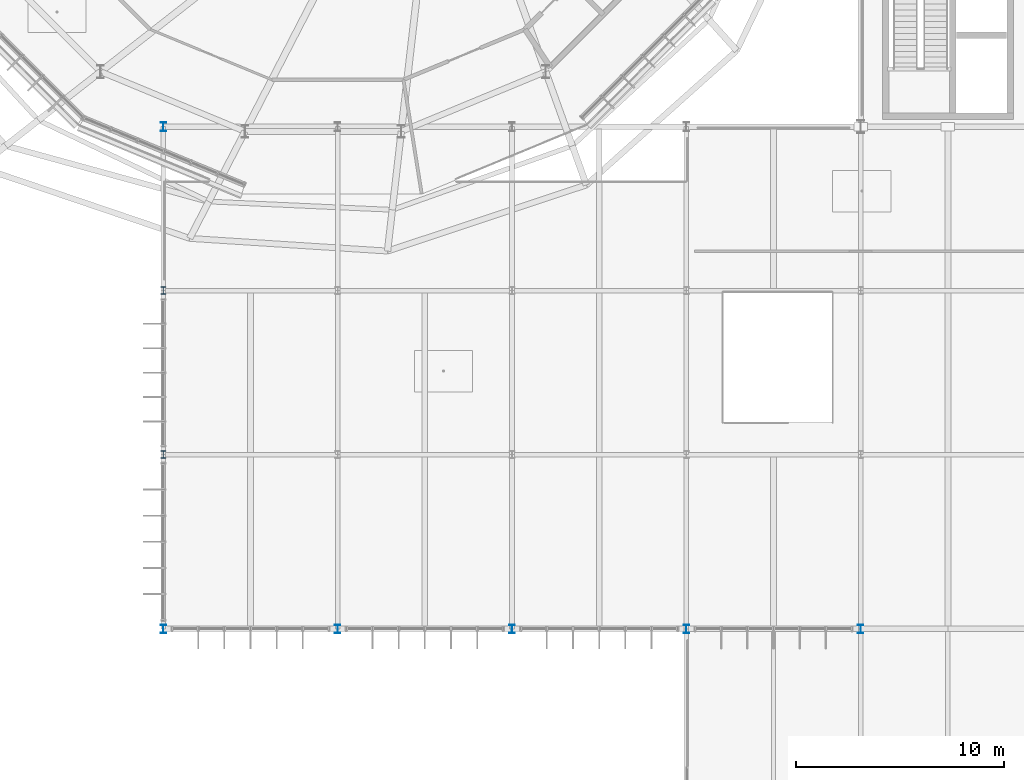
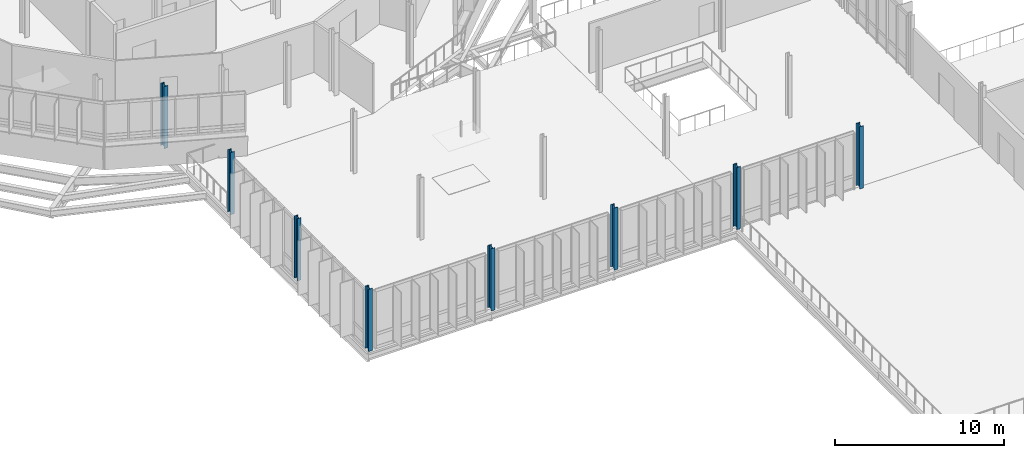
# One storey, part 1 of 139: 8 columns.
"""IFC4 building model written with IfcOpenShell, lengths in metres."""

import ifcopenshell
import ifcopenshell.guid

model = None  # the IFC model being written
_history = None  # IfcOwnerHistory: only IFC2X3 demands one
_inside = {}  # id of a spatial element -> (the spatial element, [elements in it])
_under = {}  # id of a project, library or spatial element -> (it, [spatial elements below it])
_declared = {}  # id of a project -> (the project, [libraries it declares])
_typed = {}  # id of a type object -> (the type object, [elements of that type])
_made_of = {}  # id of a material, layer set ... -> (it, [elements and type objects made of it])


def new_model(schema):
    """Start an empty IFC model of exactly this schema.

    Asked for "IFC4X3", IfcOpenShell would pick the latest addendum, in which some entities
    have other attributes; the version numbers below select the first issue.
    IFC2X3 requires an IfcOwnerHistory on every rooted entity: one is made here for all.
    """
    global model, _history
    if schema == "IFC4X3":
        model = ifcopenshell.file(schema_version=(4, 3, 0, 0))
    else:
        model = ifcopenshell.file(schema=schema)
    _inside.clear()
    _under.clear()
    _declared.clear()
    _typed.clear()
    _made_of.clear()
    _history = None
    if model.schema == "IFC2X3":
        org = make("IfcOrganization", Name="unknown")
        user = make(
            "IfcPersonAndOrganization",
            ThePerson=make("IfcPerson", FamilyName="unknown"),
            TheOrganization=org,
        )
        app = make(
            "IfcApplication",
            ApplicationDeveloper=org,
            Version="unknown",
            ApplicationFullName="unknown",
            ApplicationIdentifier="unknown",
        )
        _history = make(
            "IfcOwnerHistory",
            OwningUser=user,
            OwningApplication=app,
            ChangeAction="ADDED",
            CreationDate=0,
        )
    return model


def make(cls, **values):
    """One entity of the class cls with the attributes given. An attribute that is None is left unset."""
    return model.create_entity(
        cls, **{name: value for name, value in values.items() if value is not None}
    )


def rooted(cls, **values):
    """An entity with a GlobalId (a new one), such as an element, a storey or a relation."""
    return make(cls, GlobalId=ifcopenshell.guid.new(), OwnerHistory=_history, **values)


def si_unit(unit_type, name, prefix=None):
    """IfcSIUnit, for example si_unit("LENGTHUNIT", "METRE", prefix="MILLI")."""
    return make("IfcSIUnit", UnitType=unit_type, Prefix=prefix, Name=name)


def derived_unit(unit_type, elements):
    """IfcDerivedUnit: a product of units, each with its exponent."""
    return make(
        "IfcDerivedUnit",
        Elements=[
            make("IfcDerivedUnitElement", Unit=unit, Exponent=power)
            for unit, power in elements
        ],
        UnitType=unit_type,
    )


def assignment(units):
    """IfcUnitAssignment: the units of a project."""
    return None if units is None else make("IfcUnitAssignment", Units=units)


def point(xyz):
    """IfcCartesianPoint."""
    return None if xyz is None else make("IfcCartesianPoint", Coordinates=xyz)


def direction(xyz):
    """IfcDirection."""
    return None if xyz is None else make("IfcDirection", DirectionRatios=xyz)


def frame(location, z_axis=None, x_axis=None):
    """IfcAxis2Placement3D, a coordinate frame: its origin and axes. An axis left out is left unset."""
    return make(
        "IfcAxis2Placement3D",
        Location=point(location),
        Axis=direction(z_axis),
        RefDirection=direction(x_axis),
    )


def frame_2d(location, x_axis=None):
    """IfcAxis2Placement2D, a coordinate frame in the plane: its origin and x axis."""
    return make(
        "IfcAxis2Placement2D", Location=point(location), RefDirection=direction(x_axis)
    )


def origin():
    """The frame at (0, 0, 0) with its axes left unset."""
    return frame((0.0, 0.0, 0.0))


def origin_2d():
    """The frame at (0, 0) in the plane with its x axis left unset."""
    return frame_2d((0.0, 0.0))


def place(relative_to, where):
    """IfcLocalPlacement: puts the frame where relative to a parent placement (None: the world)."""
    return make(
        "IfcLocalPlacement", PlacementRelTo=relative_to, RelativePlacement=where
    )


def context(
    kind, dimensions, precision=None, world=None, true_north=None, identifier=None
):
    """IfcGeometricRepresentationContext, for example the 3D "Model" context."""
    return make(
        "IfcGeometricRepresentationContext",
        ContextIdentifier=identifier,
        ContextType=kind,
        CoordinateSpaceDimension=dimensions,
        Precision=precision,
        WorldCoordinateSystem=world,
        TrueNorth=true_north,
    )


def subcontext(parent, identifier, kind, view, scale=None):
    """IfcGeometricRepresentationSubContext, for example "Body" below "Model"."""
    return make(
        "IfcGeometricRepresentationSubContext",
        ContextIdentifier=identifier,
        ContextType=kind,
        ParentContext=parent,
        TargetScale=scale,
        TargetView=view,
    )


def project(units=None, contexts=None):
    """IfcProject with its units and contexts."""
    return rooted(
        "IfcProject",
        Name="project",
        RepresentationContexts=contexts,
        UnitsInContext=assignment(units),
    )


def spatial(cls, under=None, at=None, **own):
    """A site, building, storey or space (cls), placed at a placement, below another one or the project."""
    s = rooted(cls, ObjectPlacement=at, **own)
    if under is not None:
        _under.setdefault(under.id(), (under, []))[1].append(s)
    return s


def profile(cls, at=None, kind="AREA", **sizes):
    """A parametric profile (cls). Its sizes go by their IFC names, for example OverallWidth=200.0."""
    return make(cls, ProfileType=kind, Position=at, **sizes)


def i_section(**sizes):
    """IfcIShapeProfileDef."""
    return profile("IfcIShapeProfileDef", **sizes)


def extrude(swept, where, along, depth):
    """IfcExtrudedAreaSolid: the profile swept, set in the frame where, extruded along a direction by depth."""
    return make(
        "IfcExtrudedAreaSolid",
        SweptArea=swept,
        Position=where,
        ExtrudedDirection=direction(along),
        Depth=depth,
    )


def shape(context_of_items, identifier, shape_type, items):
    """IfcShapeRepresentation: the items that make up one representation, for example the "Body"."""
    return make(
        "IfcShapeRepresentation",
        ContextOfItems=context_of_items,
        RepresentationIdentifier=identifier,
        RepresentationType=shape_type,
        Items=items,
    )


def material(Name=None, Category=None):
    """IfcMaterial."""
    return make("IfcMaterial", Name=Name, Category=Category)


def material_profile(
    of_material, cross_section, Name=None, Category=None, Priority=None
):
    """IfcMaterialProfile: a cross section and its material."""
    return make(
        "IfcMaterialProfile",
        Name=Name,
        Material=of_material,
        Profile=cross_section,
        Priority=Priority,
        Category=Category,
    )


def profile_set(profiles, Name=None, composite=None):
    """IfcMaterialProfileSet."""
    return make(
        "IfcMaterialProfileSet",
        Name=Name,
        MaterialProfiles=profiles,
        CompositeProfile=composite,
    )


def made_of(thing, what):
    """Note that an element or type object is made of a material, layer set ...; save() writes the relation."""
    if what is not None:
        _made_of.setdefault(what.id(), (what, []))[1].append(thing)
    return thing


def type_object(cls, material=None, **own):
    """A type object (cls), such as IfcWallType, which elements share."""
    return made_of(rooted(cls, **own), material)


def element(
    cls,
    number,
    at=None,
    inside=None,
    cuts=None,
    type_object=None,
    material=None,
    context=None,
    identifier="Body",
    shape_type=None,
    held_by="IfcProductDefinitionShape",
    body=None,
    shapes=None,
    **own,
):
    """One element of the class cls, such as IfcWall. Its Tag is "e" and its number.

    at: its placement. inside: the storey or other place that contains it. cuts: it is an
    opening in that element (IfcRelVoidsElement). A single representation is given by context,
    identifier, shape_type and body (its items); several are given by shapes. held_by: the class
    of the entity that holds the representations. save() writes the other relations.
    """
    e = rooted(cls, Tag="e%d" % number, ObjectPlacement=at, **own)
    if body is not None:
        shapes = [shape(context, identifier, shape_type, body)]
    if shapes is not None:
        e.Representation = make(held_by, Representations=shapes)
    if inside is not None:
        _inside.setdefault(inside.id(), (inside, []))[1].append(e)
    if cuts is not None:
        rooted(
            "IfcRelVoidsElement", RelatingBuildingElement=cuts, RelatedOpeningElement=e
        )
    if type_object is not None:
        _typed.setdefault(type_object.id(), (type_object, []))[1].append(e)
    return made_of(e, material)


def aggregate(whole, parts):
    """IfcRelAggregates: a whole, such as a stair, and the parts it consists of."""
    return rooted("IfcRelAggregates", RelatingObject=whole, RelatedObjects=parts)


def save(model, path):
    """Write the relations noted so far, then the file.

    IfcRelAggregates (storeys below a building ...), IfcRelContainedInSpatialStructure (elements
    in a storey), IfcRelDefinesByType, IfcRelAssociatesMaterial and IfcRelDeclares: one each for
    every whole, place, type object, material and project.
    """
    for whole, parts in _under.values():
        aggregate(whole, parts)
    for where, things in _inside.values():
        rooted(
            "IfcRelContainedInSpatialStructure",
            RelatedElements=things,
            RelatingStructure=where,
        )
    for kind, things in _typed.values():
        rooted("IfcRelDefinesByType", RelatedObjects=things, RelatingType=kind)
    for what, things in _made_of.values():
        rooted("IfcRelAssociatesMaterial", RelatedObjects=things, RelatingMaterial=what)
    for by, libraries in _declared.values():
        rooted("IfcRelDeclares", RelatingContext=by, RelatedDefinitions=libraries)
    model.write(path)


model = new_model("IFC4")

# Units and contexts
model_context = context("Model", 3, precision=1e-05, world=origin(), true_north=direction((0.0, 1.0)))
body_context = subcontext(model_context, "Body", "Model", "MODEL_VIEW")
ifc_project = project(units=[si_unit("LENGTHUNIT", "METRE"), si_unit("AREAUNIT", "SQUARE_METRE"), si_unit("VOLUMEUNIT", "CUBIC_METRE"), si_unit("PLANEANGLEUNIT", "RADIAN"), si_unit("MASSUNIT", "GRAM", prefix="KILO"), derived_unit("THERMALTRANSMITTANCEUNIT", [(si_unit("MASSUNIT", "GRAM", prefix="KILO"), 1), (si_unit("TIMEUNIT", "SECOND"), -3), (si_unit("THERMODYNAMICTEMPERATUREUNIT", "KELVIN"), -1)])], contexts=[model_context])

# Site, building, storey
site_placement = place(None, origin())
site = spatial("IfcSite", under=ifc_project, at=site_placement, CompositionType="ELEMENT")
building_placement = place(site_placement, origin())
building = spatial("IfcBuilding", under=site, at=building_placement, Name="Makaiwela Harbour Ferry Terminal", CompositionType="ELEMENT")
storey_placement = place(building_placement, frame((0.0, 0.0, 5.10009765625)))
storey = spatial("IfcBuildingStorey", under=building, at=storey_placement, Name="L01", CompositionType="ELEMENT", Elevation=5.10009765625)

# Columns
ifc_material = material(Name="Steel ASTM A992 Grade 50", Category="steel")
ifc_material_profile_1 = material_profile(ifc_material, i_section(OverallWidth=0.257080078125, OverallDepth=0.363037109375, WebThickness=0.012939453125, FlangeThickness=0.021728515625, at=origin_2d()), Name="W14X82")
ifc_profile_set_1 = profile_set([ifc_material_profile_1], Name="Steel ASTM A992 Grade 50")
column_type_1 = type_object("IfcColumnType", Name="STR-COL-W14X82", PredefinedType="COLUMN", material=ifc_profile_set_1)
for number, where, z_axis, x_axis, name in (
    (1, (29.39990234375, 33.60009765625, 0.0), (0.0, 0.0, 1.0), (1.0, 0.0, 0.0), "Structural Column C-05"),
    (2, (29.39990234375, 41.5, 0.0), (0.0, 0.0, 1.0), (1.0, 0.0, 0.0), "Structural Column C-05"),
):
    element("IfcColumn", number, at=place(storey_placement, frame(where, z_axis=z_axis, x_axis=x_axis)), inside=storey, type_object=column_type_1, Name=name, PredefinedType="COLUMN", context=body_context, shape_type="SweptSolid", body=[
        extrude(i_section(OverallWidth=0.257080078125, OverallDepth=0.363037109375, WebThickness=0.012939453125, FlangeThickness=0.021728515625, at=origin_2d()), origin(), (0.0, 0.0, 1.0), 4.5),
    ])
ifc_material_profile_2 = material_profile(ifc_material, i_section(OverallWidth=0.264892578125, OverallDepth=0.430908203125, WebThickness=0.014892578125, FlangeThickness=0.02490234375, at=origin_2d()), Name="W16X100")
ifc_profile_set_2 = profile_set([ifc_material_profile_2], Name="Steel ASTM A992 Grade 50")
column_type_2 = type_object("IfcColumnType", Name="STR-COL-W16X100", PredefinedType="COLUMN", material=ifc_profile_set_2)
for number, where, z_axis, x_axis, name in (
    (3, (29.39990234375, 25.199951171875, 0.0), (0.0, 0.0, 1.0), (1.0, 0.0, 0.0), "Structural Column C-03"),
    (4, (29.39990234375, 49.39990234375, 0.0), (0.0, 0.0, 1.0), (1.0, 0.0, 0.0), "Structural Column C-03"),
    (5, (37.800048828125, 25.199951171875, 0.0), (0.0, 0.0, 1.0), (1.0, 0.0, 0.0), "Structural Column C-03"),
    (6, (46.199951171875, 25.199951171875, 0.0), (0.0, 0.0, 1.0), (1.0, 0.0, 0.0), "Structural Column C-03"),
    (7, (54.60009765625, 25.199951171875, 0.0), (0.0, 0.0, 1.0), (1.0, 0.0, 0.0), "Structural Column C-03"),
    (8, (63.0, 25.199951171875, 0.0), (0.0, 0.0, 1.0), (1.0, 0.0, 0.0), "Structural Column C-03"),
):
    element("IfcColumn", number, at=place(storey_placement, frame(where, z_axis=z_axis, x_axis=x_axis)), inside=storey, type_object=column_type_2, Name=name, PredefinedType="COLUMN", context=body_context, shape_type="SweptSolid", body=[
        extrude(i_section(OverallWidth=0.264892578125, OverallDepth=0.430908203125, WebThickness=0.014892578125, FlangeThickness=0.02490234375, at=origin_2d()), origin(), (0.0, 0.0, 1.0), 4.5),
    ])

save(model, "model.ifc")
